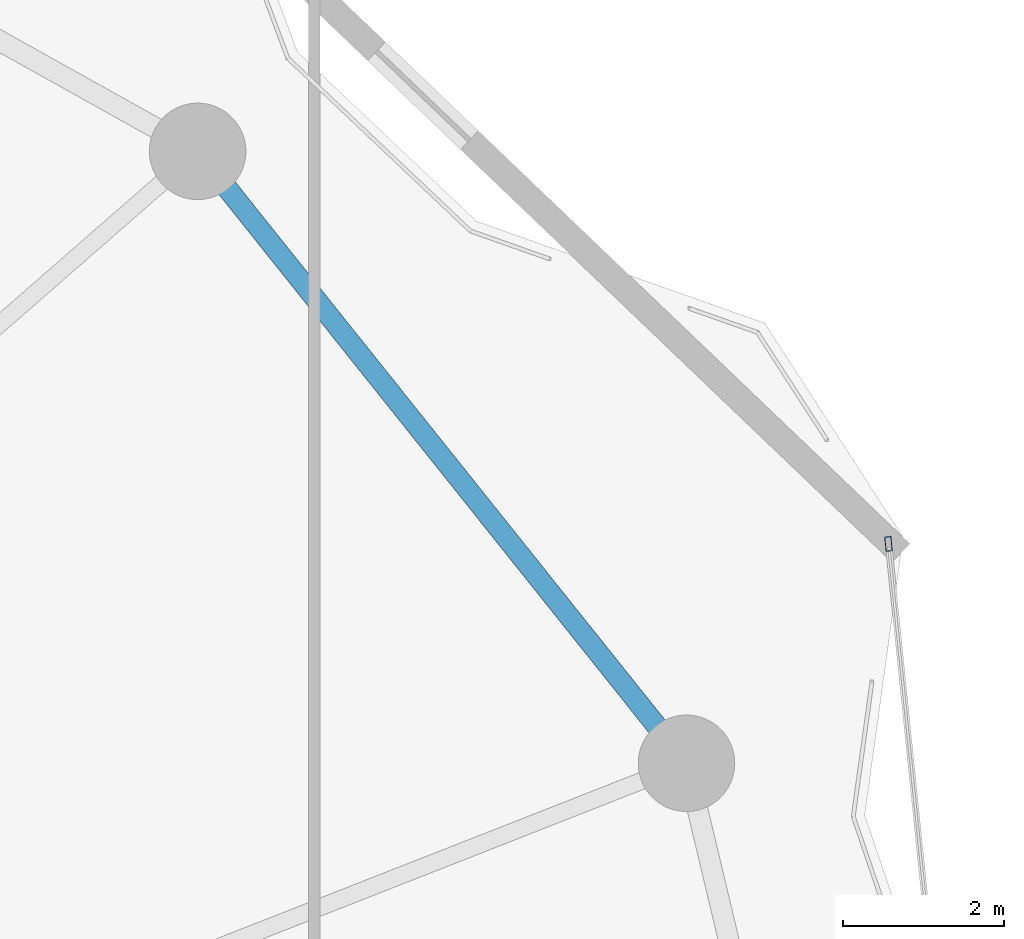
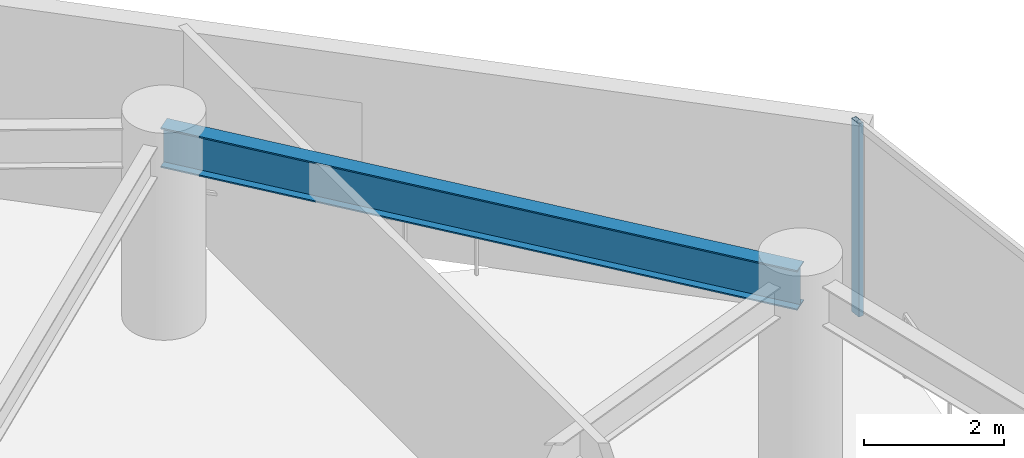
# One storey, part 23 of 31: 1 beam, 1 member, 1 element without a shape of its own.
"""IFC4 building model written with IfcOpenShell, lengths in metres."""

from ifc_helpers import new_model, si_unit, direction, frame, origin, origin_2d, place, context, subcontext, project, spatial, hollow_rectangle, i_section, extrude, material, layer, layer_set, material_profile, profile_set, type_object, element, aggregate, save


model = new_model("IFC4")

# Units and contexts
model_context = context("Model", 3, precision=1e-05, world=origin(), true_north=direction((0.0, 1.0)))
body_context = subcontext(model_context, "Body", "Model", "MODEL_VIEW")
ifc_project = project(units=[si_unit("LENGTHUNIT", "METRE"), si_unit("AREAUNIT", "SQUARE_METRE"), si_unit("VOLUMEUNIT", "CUBIC_METRE"), si_unit("PLANEANGLEUNIT", "RADIAN"), si_unit("MASSUNIT", "GRAM", prefix="KILO")], contexts=[model_context])

# Site, building, storey
site_placement = place(None, origin())
site = spatial("IfcSite", under=ifc_project, at=site_placement, CompositionType="ELEMENT")
building_placement = place(site_placement, origin())
building = spatial("IfcBuilding", under=site, at=building_placement, Name="Kazevale Care Tower and Concert Hall", CompositionType="ELEMENT")
storey_placement = place(building_placement, frame((0.0, 0.0, 117.0)))
storey = spatial("IfcBuildingStorey", under=building, at=storey_placement, Name="L30", CompositionType="ELEMENT", Elevation=117.0)

# Curtain wall, member
ifc_material_1 = material(Name="Aluminium 6063-T6 and Low-E Glass", Category="aluminium")
ifc_layer = layer(ifc_material_1, 0.179931640625)
ifc_layer_set = layer_set([ifc_layer], Name="Aluminium 6063-T6 and Low-E Glass")
curtain_wall_type = type_object("IfcCurtainWallType", Name="Waist & Upper Residential Curtain Wall CW-4", PredefinedType="NOTDEFINED", material=ifc_layer_set)
curtain_wall_placement = place(storey_placement, origin())
curtain_wall = element("IfcCurtainWall", 1, at=curtain_wall_placement, inside=storey, type_object=curtain_wall_type, Name="cw:L30:f18", PredefinedType="NOTDEFINED")
ifc_material_2 = material(Name="Aluminium 6063-T6", Category="aluminium")
ifc_material_profile_1 = material_profile(ifc_material_2, hollow_rectangle(XDim=0.080078125, YDim=0.179931640625, WallThickness=0.0048828125, at=origin_2d()), Name="ALU80x180x5")
ifc_profile_set_1 = profile_set([ifc_material_profile_1], Name="Aluminium 6063-T6")
member_type = type_object("IfcMemberType", Name="CW-4 Mullion ALU80x180x5", PredefinedType="MULLION", material=ifc_profile_set_1)
member_placement = place(storey_placement, frame((73.422119140625, 49.6982421875, 0.0), z_axis=(0.0, 0.0, 1.0), x_axis=(0.994797747326, 0.101869730126, 0.0)))
member = element("IfcMember", 2, at=member_placement, type_object=member_type, Name="CW-4 mullion 1", PredefinedType="MULLION", context=body_context, shape_type="SweptSolid", body=[
    extrude(hollow_rectangle(XDim=0.080078125, YDim=0.179931640625, WallThickness=0.0048828125, at=origin_2d()), origin(), (0.0, 0.0, 1.0), 3.360107421875),
])
aggregate(curtain_wall, [member])

# Beam
ifc_material_3 = material(Name="Steel ASTM A572 Gr 50", Category="steel")
ifc_material_profile_2 = material_profile(ifc_material_3, i_section(OverallWidth=0.256103515625, OverallDepth=0.693115234375, WebThickness=0.014404296875, FlangeThickness=0.023681640625, at=origin_2d()), Name="W690x170")
ifc_profile_set_2 = profile_set([ifc_material_profile_2], Name="Steel ASTM A572 Gr 50")
beam_type = type_object("IfcBeamType", Name="Waist Ring Beam W690x170", PredefinedType="BEAM", material=ifc_profile_set_2)
beam_placement = place(storey_placement, frame((70.909912109375, 46.969970703125, 3.013427734375), z_axis=(-0.624178340034, 0.781281895242, 0.0), x_axis=(-0.781281895242, -0.624178340034, 0.0)))
element("IfcBeam", 3, at=beam_placement, inside=storey, type_object=beam_type, Name="beam:L30:ring:02", PredefinedType="BEAM", context=body_context, shape_type="SweptSolid", body=[
    extrude(i_section(OverallWidth=0.256103515625, OverallDepth=0.693115234375, WebThickness=0.014404296875, FlangeThickness=0.023681640625, at=origin_2d()), origin(), (0.0, 0.0, 1.0), 9.740478515625),
])

save(model, "model.ifc")
